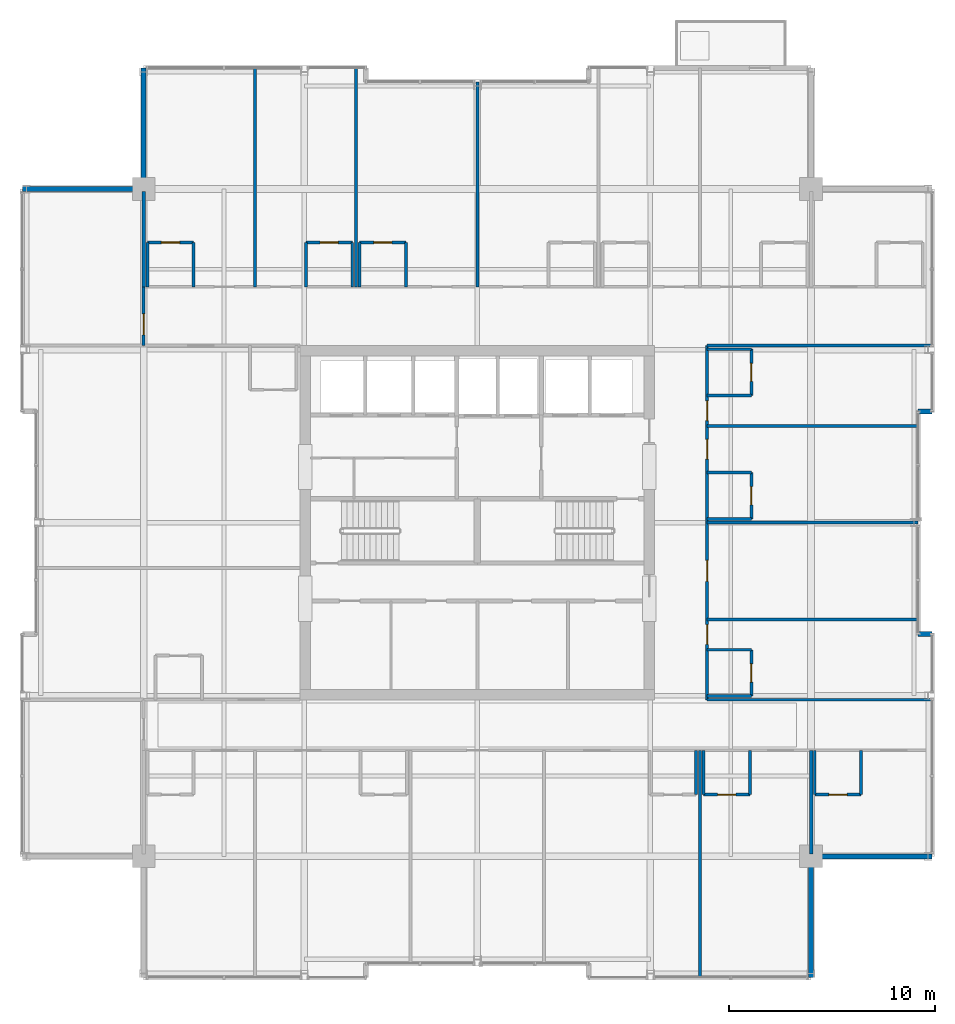
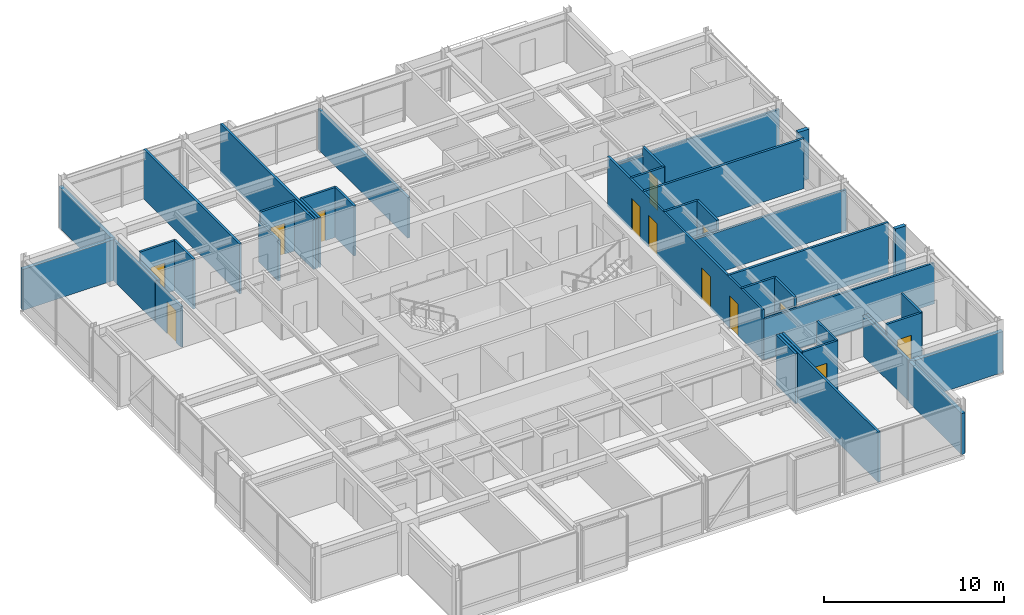
# One storey, part 30 of 34: 44 walls, 13 doors, 13 openings.
"""IFC4 building model written with IfcOpenShell, lengths in metres."""

from ifc_helpers import new_model, si_unit, direction, frame, frame_2d, origin, place, context, subcontext, project, spatial, rectangle, extrude, material, layer, layer_set, type_object, element, fill, save


model = new_model("IFC4")

# Units and contexts
model_context = context("Model", 3, precision=1e-05, world=origin(), true_north=direction((0.0, 1.0)))
body_context = subcontext(model_context, "Body", "Model", "MODEL_VIEW")
ifc_project = project(units=[si_unit("LENGTHUNIT", "METRE"), si_unit("AREAUNIT", "SQUARE_METRE"), si_unit("VOLUMEUNIT", "CUBIC_METRE"), si_unit("PLANEANGLEUNIT", "RADIAN"), si_unit("MASSUNIT", "GRAM", prefix="KILO")], contexts=[model_context])

# Site, building, storey
site_placement = place(None, origin())
site = spatial("IfcSite", under=ifc_project, at=site_placement, CompositionType="ELEMENT")
building_placement = place(site_placement, origin())
building = spatial("IfcBuilding", under=site, at=building_placement, Name="Drelvath Grand Hotel", CompositionType="ELEMENT")
storey_placement = place(building_placement, frame((0.0, 0.0, 272.300048828125)))
storey = spatial("IfcBuildingStorey", under=building, at=storey_placement, Name="L71", CompositionType="ELEMENT", Elevation=272.300048828125)

# Walls
ifc_material_1 = material(Name="Gypsum Fireboard Partition")
ifc_layer_1 = layer(ifc_material_1, 0.135009765625)
ifc_layer_set_1 = layer_set([ifc_layer_1], Name="Gypsum Fireboard Partition")
wall_type_1 = type_object("IfcWallType", Name="Corridor Fire Barrier Wall 135", PredefinedType="PARTITIONING", material=ifc_layer_set_1)
for number, where, z_axis, x_axis, name in (
    (1, (11.14990234375, 18.39990234375, 0.0), (0.0, 0.0, 1.0), (1.0, 0.0, 0.0), "L71 South Gallery Inner East Wall"),
    (2, (11.14990234375, 35.60009765625, 0.0), (0.0, 0.0, 1.0), (1.0, 0.0, 0.0), "L71 North Gallery Inner East Wall"),
):
    element("IfcWall", number, at=place(storey_placement, frame(where, z_axis=z_axis, x_axis=x_axis)), inside=storey, type_object=wall_type_1, Name=name, PredefinedType="PARTITIONING", context=body_context, shape_type="SweptSolid", body=[
        extrude(rectangle(XDim=10.93017578125, YDim=0.135009765625, at=frame_2d((5.465087890625, 0.0))), origin(), (0.0, 0.0, 1.0), 2.767333984375),
    ])

# Wall, openings, doors
wall_1_placement = place(storey_placement, frame((11.14990234375, 18.39990234375, 0.0), z_axis=(0.0, 0.0, 1.0), x_axis=(0.0, 1.0, 0.0)))
wall_1 = element("IfcWall", 3, at=wall_1_placement, inside=storey, type_object=wall_type_1, Name="L71 East Gallery Link Wall", PredefinedType="PARTITIONING", context=body_context, shape_type="SweptSolid", body=[
    extrude(rectangle(XDim=17.2001953125, YDim=0.135009765625, at=frame_2d((8.60009765625, 0.0))), origin(), (0.0, 0.0, 1.0), 3.389892578125),
])
opening_1_placement = place(wall_1_placement, frame((2.689453125, 0.0, 0.0)))
opening_1 = element("IfcOpeningElement", 4, at=opening_1_placement, cuts=wall_1, Name="Opening D-T5G1-048", PredefinedType="OPENING", context=body_context, shape_type="SweptSolid", body=[
    extrude(rectangle(XDim=0.9599609375, YDim=2.14990234375, at=frame_2d((0.47998046875, 1.074951171875))), frame((0.0, 0.077392578125, 0.0), z_axis=(0.0, -1.0, 0.0), x_axis=(1.0, 0.0, 0.0)), (0.0, 0.0, 1.0), 0.155029296875),
])
opening_2_placement = place(wall_1_placement, frame((5.74462890625, 0.0, 0.0)))
opening_2 = element("IfcOpeningElement", 5, at=opening_2_placement, cuts=wall_1, Name="Opening D-T5G1-049", PredefinedType="OPENING", context=body_context, shape_type="SweptSolid", body=[
    extrude(rectangle(XDim=1.02001953125, YDim=2.14990234375, at=frame_2d((0.510009765625, 1.074951171875))), frame((0.0, 0.077392578125, 0.0), z_axis=(0.0, -1.0, 0.0), x_axis=(1.0, 0.0, 0.0)), (0.0, 0.0, 1.0), 0.155029296875),
])
opening_3_placement = place(wall_1_placement, frame((11.680419921875, 0.0, 0.0)))
opening_3 = element("IfcOpeningElement", 6, at=opening_3_placement, cuts=wall_1, Name="Opening D-T5G1-051", PredefinedType="OPENING", context=body_context, shape_type="SweptSolid", body=[
    extrude(rectangle(XDim=0.9599609375, YDim=2.14990234375, at=frame_2d((0.47998046875, 1.074951171875))), frame((0.0, 0.077392578125, 0.0), z_axis=(0.0, -1.0, 0.0), x_axis=(1.0, 0.0, 0.0)), (0.0, 0.0, 1.0), 0.155029296875),
])
opening_4_placement = place(wall_1_placement, frame((13.550537109375, 0.0, 0.0)))
opening_4 = element("IfcOpeningElement", 7, at=opening_4_placement, cuts=wall_1, Name="Opening D-T5G1-053", PredefinedType="OPENING", context=body_context, shape_type="SweptSolid", body=[
    extrude(rectangle(XDim=0.9599609375, YDim=2.14990234375, at=frame_2d((0.47998046875, 1.074951171875))), frame((0.0, 0.077392578125, 0.0), z_axis=(0.0, -1.0, 0.0), x_axis=(1.0, 0.0, 0.0)), (0.0, 0.0, 1.0), 0.155029296875),
])
ifc_material_2 = material(Name="Hardwood Walnut Timber", Category="wood")
door_type_1 = type_object("IfcDoorType", Name="Amenity Meeting Fire Door 1020x2150", OperationType="NOTDEFINED", PredefinedType="DOOR", material=ifc_material_2)
door_1_placement = place(opening_2_placement, origin())
door_1 = element("IfcDoor", 8, at=door_1_placement, inside=storey, type_object=door_type_1, Name="L71 Private Spa Treatment Room Entry Door", OperationType="SINGLE_SWING_RIGHT", OverallHeight=2.14990234375, OverallWidth=1.02001953125, PredefinedType="DOOR", context=body_context, shape_type="SweptSolid", body=[
    extrude(rectangle(XDim=1.02001953125, YDim=2.14990234375, at=frame_2d((0.510009765625, 1.074951171875))), frame((0.0, 0.02490234375, 0.0), z_axis=(0.0, -1.0, 0.0), x_axis=(1.0, 0.0, 0.0)), (0.0, 0.0, 1.0), 0.050048828125),
])
fill(opening_2, door_1)
door_type_2 = type_object("IfcDoorType", Name="Guestroom Entrance Fire Door 960x2150", OperationType="NOTDEFINED", PredefinedType="DOOR", material=ifc_material_2)
door_2_placement = place(opening_1_placement, origin())
door_2 = element("IfcDoor", 9, at=door_2_placement, inside=storey, type_object=door_type_2, Name="L71 King Guest Room Entry Door", OperationType="SINGLE_SWING_LEFT", OverallHeight=2.14990234375, OverallWidth=0.9599609375, PredefinedType="DOOR", context=body_context, shape_type="SweptSolid", body=[
    extrude(rectangle(XDim=0.9599609375, YDim=2.14990234375, at=frame_2d((0.47998046875, 1.074951171875))), frame((0.0, 0.02490234375, 0.0), z_axis=(0.0, -1.0, 0.0), x_axis=(1.0, 0.0, 0.0)), (0.0, 0.0, 1.0), 0.050048828125),
])
fill(opening_1, door_2)
door_3_placement = place(opening_3_placement, origin())
door_3 = element("IfcDoor", 10, at=door_3_placement, inside=storey, type_object=door_type_2, Name="L71 King Guest Room Entry Door", OperationType="SINGLE_SWING_RIGHT", OverallHeight=2.14990234375, OverallWidth=0.9599609375, PredefinedType="DOOR", context=body_context, shape_type="SweptSolid", body=[
    extrude(rectangle(XDim=0.9599609375, YDim=2.14990234375, at=frame_2d((0.47998046875, 1.074951171875))), frame((0.0, 0.02490234375, 0.0), z_axis=(0.0, -1.0, 0.0), x_axis=(1.0, 0.0, 0.0)), (0.0, 0.0, 1.0), 0.050048828125),
])
fill(opening_3, door_3)
door_4_placement = place(opening_4_placement, origin())
door_4 = element("IfcDoor", 11, at=door_4_placement, inside=storey, type_object=door_type_2, Name="L71 King Guest Room Entry Door", OperationType="SINGLE_SWING_RIGHT", OverallHeight=2.14990234375, OverallWidth=0.9599609375, PredefinedType="DOOR", context=body_context, shape_type="SweptSolid", body=[
    extrude(rectangle(XDim=0.9599609375, YDim=2.14990234375, at=frame_2d((0.47998046875, 1.074951171875))), frame((0.0, 0.02490234375, 0.0), z_axis=(0.0, -1.0, 0.0), x_axis=(1.0, 0.0, 0.0)), (0.0, 0.0, 1.0), 0.050048828125),
])
fill(opening_4, door_4)

# Wall, opening, door
wall_2_placement = place(storey_placement, frame((-16.199951171875, 35.60009765625, 0.0), z_axis=(0.0, 0.0, 1.0), x_axis=(0.0, 1.0, 0.0)))
wall_2 = element("IfcWall", 12, at=wall_2_placement, inside=storey, type_object=wall_type_1, Name="L71 North Gallery West End", PredefinedType="PARTITIONING", context=body_context, shape_type="SweptSolid", body=[
    extrude(rectangle(XDim=2.849853515625, YDim=0.135009765625, at=frame_2d((1.4248046875, 0.0))), origin(), (0.0, 0.0, 1.0), 2.763916015625),
])
opening_5_placement = place(wall_2_placement, frame((0.52001953125, 0.0, 0.0)))
opening_5 = element("IfcOpeningElement", 13, at=opening_5_placement, cuts=wall_2, Name="Opening D-T5G1-021", PredefinedType="OPENING", context=body_context, shape_type="SweptSolid", body=[
    extrude(rectangle(XDim=1.02001953125, YDim=2.14990234375, at=frame_2d((0.510009765625, 1.074951171875))), frame((0.0, 0.077392578125, 0.0), z_axis=(0.0, -1.0, 0.0), x_axis=(1.0, 0.0, 0.0)), (0.0, 0.0, 1.0), 0.155029296875),
])
door_5_placement = place(opening_5_placement, origin())
door_5 = element("IfcDoor", 14, at=door_5_placement, inside=storey, type_object=door_type_1, Name="L71 Corner Panorama Lounge Door", OperationType="SINGLE_SWING_RIGHT", OverallHeight=2.14990234375, OverallWidth=1.02001953125, PredefinedType="DOOR", context=body_context, shape_type="SweptSolid", body=[
    extrude(rectangle(XDim=1.02001953125, YDim=2.14990234375, at=frame_2d((0.510009765625, 1.074951171875))), frame((0.0, 0.02490234375, 0.0), z_axis=(0.0, -1.0, 0.0), x_axis=(1.0, 0.0, 0.0)), (0.0, 0.0, 1.0), 0.050048828125),
])
fill(opening_5, door_5)

# Walls
ifc_material_3 = material(Name="Moisture-Resistant Gypsum Board")
ifc_layer_2 = layer(ifc_material_3, 0.139892578125)
ifc_layer_set_2 = layer_set([ifc_layer_2], Name="Moisture-Resistant Gypsum Board")
wall_type_2 = type_object("IfcWallType", Name="En-Suite Plumbing Wall 140", PredefinedType="PLUMBINGWALL", material=ifc_layer_set_2)
wall_3_placement = place(storey_placement, frame((16.3798828125, 15.949951171875, 0.0), z_axis=(0.0, 0.0, 1.0), x_axis=(0.0, -1.0, 0.0)))
element("IfcWall", 15, at=wall_3_placement, inside=storey, type_object=wall_type_2, Name="L71 En-Suite Left Wall", PredefinedType="PLUMBINGWALL", context=body_context, shape_type="SweptSolid", body=[
    extrude(rectangle(XDim=2.14990234375, YDim=0.139892578125, at=frame_2d((1.074951171875, 0.0))), origin(), (0.0, 0.0, 1.0), 2.763916015625),
])
wall_4_placement = place(storey_placement, frame((18.6298828125, 15.949951171875, 0.0), z_axis=(0.0, 0.0, 1.0), x_axis=(0.0, -1.0, 0.0)))
element("IfcWall", 16, at=wall_4_placement, inside=storey, type_object=wall_type_2, Name="L71 En-Suite Right Wall", PredefinedType="PLUMBINGWALL", context=body_context, shape_type="SweptSolid", body=[
    extrude(rectangle(XDim=2.14990234375, YDim=0.139892578125, at=frame_2d((1.074951171875, 0.0))), origin(), (0.0, 0.0, 1.0), 3.389892578125),
])

# Wall, opening, door
wall_5_placement = place(storey_placement, frame((16.3798828125, 13.800048828125, 0.0), z_axis=(0.0, 0.0, 1.0), x_axis=(1.0, 0.0, 0.0)))
wall_5 = element("IfcWall", 17, at=wall_5_placement, inside=storey, type_object=wall_type_2, Name="L71 En-Suite Front Wall", PredefinedType="PLUMBINGWALL", context=body_context, shape_type="SweptSolid", body=[
    extrude(rectangle(XDim=2.25, YDim=0.139892578125, at=frame_2d((1.125, 0.0))), origin(), (0.0, 0.0, 1.0), 3.389892578125),
])
opening_6_placement = place(wall_5_placement, frame((0.68505859375, 0.0, 0.0)))
opening_6 = element("IfcOpeningElement", 18, at=opening_6_placement, cuts=wall_5, Name="Opening D-T5G1-022", PredefinedType="OPENING", context=body_context, shape_type="SweptSolid", body=[
    extrude(rectangle(XDim=0.8798828125, YDim=2.10009765625, at=frame_2d((0.43994140625, 1.050048828125))), frame((0.0, 0.079833984375, 0.0), z_axis=(0.0, -1.0, 0.0), x_axis=(1.0, 0.0, 0.0)), (0.0, 0.0, 1.0), 0.159912109375),
])
door_type_3 = type_object("IfcDoorType", Name="En-Suite Bathroom Door 880x2100", OperationType="NOTDEFINED", PredefinedType="DOOR", material=ifc_material_2)
door_6_placement = place(opening_6_placement, origin())
door_6 = element("IfcDoor", 19, at=door_6_placement, inside=storey, type_object=door_type_3, Name="L71 En-Suite Bathroom Door", OperationType="SINGLE_SWING_LEFT", OverallHeight=2.10009765625, OverallWidth=0.8798828125, PredefinedType="DOOR", context=body_context, shape_type="SweptSolid", body=[
    extrude(rectangle(XDim=0.8798828125, YDim=2.10009765625, at=frame_2d((0.43994140625, 1.050048828125))), frame((0.0, 0.02490234375, 0.0), z_axis=(0.0, -1.0, 0.0), x_axis=(1.0, 0.0, 0.0)), (0.0, 0.0, 1.0), 0.050048828125),
])
fill(opening_6, door_6)

# Walls
for number, where, z_axis, x_axis, name in (
    (20, (10.6201171875, 15.949951171875, 0.0), (0.0, 0.0, 1.0), (0.0, -1.0, 0.0), "L71 En-Suite Right Wall"),
    (21, (10.97998046875, 15.949951171875, 0.0), (0.0, 0.0, 1.0), (0.0, -1.0, 0.0), "L71 En-Suite Left Wall"),
    (22, (13.22998046875, 15.949951171875, 0.0), (0.0, 0.0, 1.0), (0.0, -1.0, 0.0), "L71 En-Suite Right Wall"),
):
    element("IfcWall", number, at=place(storey_placement, frame(where, z_axis=z_axis, x_axis=x_axis)), inside=storey, type_object=wall_type_2, Name=name, PredefinedType="PLUMBINGWALL", context=body_context, shape_type="SweptSolid", body=[
        extrude(rectangle(XDim=2.14990234375, YDim=0.139892578125, at=frame_2d((1.074951171875, 0.0))), origin(), (0.0, 0.0, 1.0), 3.389892578125),
    ])

# Wall, opening, door
wall_6_placement = place(storey_placement, frame((10.97998046875, 13.800048828125, 0.0), z_axis=(0.0, 0.0, 1.0), x_axis=(1.0, 0.0, 0.0)))
wall_6 = element("IfcWall", 23, at=wall_6_placement, inside=storey, type_object=wall_type_2, Name="L71 En-Suite Front Wall", PredefinedType="PLUMBINGWALL", context=body_context, shape_type="SweptSolid", body=[
    extrude(rectangle(XDim=2.25, YDim=0.139892578125, at=frame_2d((1.125, 0.0))), origin(), (0.0, 0.0, 1.0), 3.389892578125),
])
opening_7_placement = place(wall_6_placement, frame((0.68505859375, 0.0, 0.0)))
opening_7 = element("IfcOpeningElement", 24, at=opening_7_placement, cuts=wall_6, Name="Opening D-T5G1-033", PredefinedType="OPENING", context=body_context, shape_type="SweptSolid", body=[
    extrude(rectangle(XDim=0.8798828125, YDim=2.10009765625, at=frame_2d((0.43994140625, 1.050048828125))), frame((0.0, 0.079833984375, 0.0), z_axis=(0.0, -1.0, 0.0), x_axis=(1.0, 0.0, 0.0)), (0.0, 0.0, 1.0), 0.159912109375),
])
door_7_placement = place(opening_7_placement, origin())
door_7 = element("IfcDoor", 25, at=door_7_placement, inside=storey, type_object=door_type_3, Name="L71 En-Suite Bathroom Door", OperationType="SINGLE_SWING_RIGHT", OverallHeight=2.10009765625, OverallWidth=0.8798828125, PredefinedType="DOOR", context=body_context, shape_type="SweptSolid", body=[
    extrude(rectangle(XDim=0.8798828125, YDim=2.10009765625, at=frame_2d((0.43994140625, 1.050048828125))), frame((0.0, 0.02490234375, 0.0), z_axis=(0.0, -1.0, 0.0), x_axis=(1.0, 0.0, 0.0)), (0.0, 0.0, 1.0), 0.050048828125),
])
fill(opening_7, door_7)

# Walls
wall_7_placement = place(storey_placement, frame((-16.02001953125, 38.449951171875, 0.0), z_axis=(0.0, 0.0, 1.0), x_axis=(0.0, 1.0, 0.0)))
element("IfcWall", 26, at=wall_7_placement, inside=storey, type_object=wall_type_2, Name="L71 En-Suite Left Wall", PredefinedType="PLUMBINGWALL", context=body_context, shape_type="SweptSolid", body=[
    extrude(rectangle(XDim=2.150146484375, YDim=0.139892578125, at=frame_2d((1.0751953125, 0.0))), origin(), (0.0, 0.0, 1.0), 2.763916015625),
])
wall_8_placement = place(storey_placement, frame((-13.77001953125, 38.449951171875, 0.0), z_axis=(0.0, 0.0, 1.0), x_axis=(0.0, 1.0, 0.0)))
element("IfcWall", 27, at=wall_8_placement, inside=storey, type_object=wall_type_2, Name="L71 En-Suite Right Wall", PredefinedType="PLUMBINGWALL", context=body_context, shape_type="SweptSolid", body=[
    extrude(rectangle(XDim=2.150146484375, YDim=0.139892578125, at=frame_2d((1.0751953125, 0.0))), origin(), (0.0, 0.0, 1.0), 3.389892578125),
])

# Wall, opening, door
wall_9_placement = place(storey_placement, frame((-16.02001953125, 40.60009765625, 0.0), z_axis=(0.0, 0.0, 1.0), x_axis=(1.0, 0.0, 0.0)))
wall_9 = element("IfcWall", 28, at=wall_9_placement, inside=storey, type_object=wall_type_2, Name="L71 En-Suite Front Wall", PredefinedType="PLUMBINGWALL", context=body_context, shape_type="SweptSolid", body=[
    extrude(rectangle(XDim=2.25, YDim=0.139892578125, at=frame_2d((1.125, 0.0))), origin(), (0.0, 0.0, 1.0), 3.389892578125),
])
opening_8_placement = place(wall_9_placement, frame((0.68505859375, 0.0, 0.0)))
opening_8 = element("IfcOpeningElement", 29, at=opening_8_placement, cuts=wall_9, Name="Opening D-T5G1-035", PredefinedType="OPENING", context=body_context, shape_type="SweptSolid", body=[
    extrude(rectangle(XDim=0.8798828125, YDim=2.10009765625, at=frame_2d((0.43994140625, 1.050048828125))), frame((0.0, 0.079833984375, 0.0), z_axis=(0.0, -1.0, 0.0), x_axis=(1.0, 0.0, 0.0)), (0.0, 0.0, 1.0), 0.159912109375),
])
door_8_placement = place(opening_8_placement, origin())
door_8 = element("IfcDoor", 30, at=door_8_placement, inside=storey, type_object=door_type_3, Name="L71 En-Suite Bathroom Door", OperationType="SINGLE_SWING_RIGHT", OverallHeight=2.10009765625, OverallWidth=0.8798828125, PredefinedType="DOOR", context=body_context, shape_type="SweptSolid", body=[
    extrude(rectangle(XDim=0.8798828125, YDim=2.10009765625, at=frame_2d((0.43994140625, 1.050048828125))), frame((0.0, 0.02490234375, 0.0), z_axis=(0.0, -1.0, 0.0), x_axis=(1.0, 0.0, 0.0)), (0.0, 0.0, 1.0), 0.050048828125),
])
fill(opening_8, door_8)

# Walls
wall_10_placement = place(storey_placement, frame((-8.32080078125, 38.449951171875, 0.0), z_axis=(0.0, 0.0, 1.0), x_axis=(0.0, 1.0, 0.0)))
element("IfcWall", 31, at=wall_10_placement, inside=storey, type_object=wall_type_2, Name="L71 En-Suite Left Wall", PredefinedType="PLUMBINGWALL", context=body_context, shape_type="SweptSolid", body=[
    extrude(rectangle(XDim=2.150146484375, YDim=0.139892578125, at=frame_2d((1.0751953125, 0.0))), origin(), (0.0, 0.0, 1.0), 2.767333984375),
])
wall_11_placement = place(storey_placement, frame((-6.07080078125, 38.449951171875, 0.0), z_axis=(0.0, 0.0, 1.0), x_axis=(0.0, 1.0, 0.0)))
element("IfcWall", 32, at=wall_11_placement, inside=storey, type_object=wall_type_2, Name="L71 En-Suite Right Wall", PredefinedType="PLUMBINGWALL", context=body_context, shape_type="SweptSolid", body=[
    extrude(rectangle(XDim=2.150146484375, YDim=0.139892578125, at=frame_2d((1.0751953125, 0.0))), origin(), (0.0, 0.0, 1.0), 3.389892578125),
])

# Wall, opening, door
wall_12_placement = place(storey_placement, frame((-8.32080078125, 40.60009765625, 0.0), z_axis=(0.0, 0.0, 1.0), x_axis=(1.0, 0.0, 0.0)))
wall_12 = element("IfcWall", 33, at=wall_12_placement, inside=storey, type_object=wall_type_2, Name="L71 En-Suite Front Wall", PredefinedType="PLUMBINGWALL", context=body_context, shape_type="SweptSolid", body=[
    extrude(rectangle(XDim=2.25, YDim=0.139892578125, at=frame_2d((1.125, 0.0))), origin(), (0.0, 0.0, 1.0), 3.389892578125),
])
opening_9_placement = place(wall_12_placement, frame((0.68505859375, 0.0, 0.0)))
opening_9 = element("IfcOpeningElement", 34, at=opening_9_placement, cuts=wall_12, Name="Opening D-T5G1-037", PredefinedType="OPENING", context=body_context, shape_type="SweptSolid", body=[
    extrude(rectangle(XDim=0.8798828125, YDim=2.10009765625, at=frame_2d((0.43994140625, 1.050048828125))), frame((0.0, 0.079833984375, 0.0), z_axis=(0.0, -1.0, 0.0), x_axis=(1.0, 0.0, 0.0)), (0.0, 0.0, 1.0), 0.159912109375),
])
door_9_placement = place(opening_9_placement, origin())
door_9 = element("IfcDoor", 35, at=door_9_placement, inside=storey, type_object=door_type_3, Name="L71 En-Suite Bathroom Door", OperationType="SINGLE_SWING_RIGHT", OverallHeight=2.10009765625, OverallWidth=0.8798828125, PredefinedType="DOOR", context=body_context, shape_type="SweptSolid", body=[
    extrude(rectangle(XDim=0.8798828125, YDim=2.10009765625, at=frame_2d((0.43994140625, 1.050048828125))), frame((0.0, 0.02490234375, 0.0), z_axis=(0.0, -1.0, 0.0), x_axis=(1.0, 0.0, 0.0)), (0.0, 0.0, 1.0), 0.050048828125),
])
fill(opening_9, door_9)

# Walls
for number, where, z_axis, x_axis, name in (
    (36, (-5.7109375, 38.449951171875, 0.0), (0.0, 0.0, 1.0), (0.0, 1.0, 0.0), "L71 En-Suite Left Wall"),
    (37, (-3.4609375, 38.449951171875, 0.0), (0.0, 0.0, 1.0), (0.0, 1.0, 0.0), "L71 En-Suite Right Wall"),
):
    element("IfcWall", number, at=place(storey_placement, frame(where, z_axis=z_axis, x_axis=x_axis)), inside=storey, type_object=wall_type_2, Name=name, PredefinedType="PLUMBINGWALL", context=body_context, shape_type="SweptSolid", body=[
        extrude(rectangle(XDim=2.150146484375, YDim=0.139892578125, at=frame_2d((1.0751953125, 0.0))), origin(), (0.0, 0.0, 1.0), 3.389892578125),
    ])

# Wall, opening, door
wall_13_placement = place(storey_placement, frame((-5.7109375, 40.60009765625, 0.0), z_axis=(0.0, 0.0, 1.0), x_axis=(1.0, 0.0, 0.0)))
wall_13 = element("IfcWall", 38, at=wall_13_placement, inside=storey, type_object=wall_type_2, Name="L71 En-Suite Front Wall", PredefinedType="PLUMBINGWALL", context=body_context, shape_type="SweptSolid", body=[
    extrude(rectangle(XDim=2.25, YDim=0.139892578125, at=frame_2d((1.125, 0.0))), origin(), (0.0, 0.0, 1.0), 3.389892578125),
])
opening_10_placement = place(wall_13_placement, frame((0.68505859375, 0.0, 0.0)))
opening_10 = element("IfcOpeningElement", 39, at=opening_10_placement, cuts=wall_13, Name="Opening D-T5G1-039", PredefinedType="OPENING", context=body_context, shape_type="SweptSolid", body=[
    extrude(rectangle(XDim=0.8798828125, YDim=2.10009765625, at=frame_2d((0.43994140625, 1.050048828125))), frame((0.0, 0.079833984375, 0.0), z_axis=(0.0, -1.0, 0.0), x_axis=(1.0, 0.0, 0.0)), (0.0, 0.0, 1.0), 0.159912109375),
])
door_10_placement = place(opening_10_placement, origin())
door_10 = element("IfcDoor", 40, at=door_10_placement, inside=storey, type_object=door_type_3, Name="L71 En-Suite Bathroom Door", OperationType="SINGLE_SWING_RIGHT", OverallHeight=2.10009765625, OverallWidth=0.8798828125, PredefinedType="DOOR", context=body_context, shape_type="SweptSolid", body=[
    extrude(rectangle(XDim=0.8798828125, YDim=2.10009765625, at=frame_2d((0.43994140625, 1.050048828125))), frame((0.0, 0.02490234375, 0.0), z_axis=(0.0, -1.0, 0.0), x_axis=(1.0, 0.0, 0.0)), (0.0, 0.0, 1.0), 0.050048828125),
])
fill(opening_10, door_10)

# Walls
wall_14_placement = place(storey_placement, frame((11.14990234375, 18.580078125, 0.0), z_axis=(0.0, 0.0, 1.0), x_axis=(1.0, 0.0, 0.0)))
element("IfcWall", 41, at=wall_14_placement, inside=storey, type_object=wall_type_2, Name="L71 En-Suite Left Wall", PredefinedType="PLUMBINGWALL", context=body_context, shape_type="SweptSolid", body=[
    extrude(rectangle(XDim=2.150146484375, YDim=0.139892578125, at=frame_2d((1.0751953125, 0.0))), origin(), (0.0, 0.0, 1.0), 2.767333984375),
])
wall_15_placement = place(storey_placement, frame((11.14990234375, 20.830078125, 0.0), z_axis=(0.0, 0.0, 1.0), x_axis=(1.0, 0.0, 0.0)))
element("IfcWall", 42, at=wall_15_placement, inside=storey, type_object=wall_type_2, Name="L71 En-Suite Right Wall", PredefinedType="PLUMBINGWALL", context=body_context, shape_type="SweptSolid", body=[
    extrude(rectangle(XDim=2.150146484375, YDim=0.139892578125, at=frame_2d((1.0751953125, 0.0))), origin(), (0.0, 0.0, 1.0), 3.389892578125),
])

# Wall, opening, door
wall_16_placement = place(storey_placement, frame((13.300048828125, 18.580078125, 0.0), z_axis=(0.0, 0.0, 1.0), x_axis=(0.0, 1.0, 0.0)))
wall_16 = element("IfcWall", 43, at=wall_16_placement, inside=storey, type_object=wall_type_2, Name="L71 En-Suite Front Wall", PredefinedType="PLUMBINGWALL", context=body_context, shape_type="SweptSolid", body=[
    extrude(rectangle(XDim=2.25, YDim=0.139892578125, at=frame_2d((1.125, 0.0))), origin(), (0.0, 0.0, 1.0), 3.389892578125),
])
opening_11_placement = place(wall_16_placement, frame((0.68505859375, 0.0, 0.0)))
opening_11 = element("IfcOpeningElement", 44, at=opening_11_placement, cuts=wall_16, Name="Opening D-T5G1-047", PredefinedType="OPENING", context=body_context, shape_type="SweptSolid", body=[
    extrude(rectangle(XDim=0.8798828125, YDim=2.10009765625, at=frame_2d((0.43994140625, 1.050048828125))), frame((0.0, 0.079833984375, 0.0), z_axis=(0.0, -1.0, 0.0), x_axis=(1.0, 0.0, 0.0)), (0.0, 0.0, 1.0), 0.159912109375),
])
door_11_placement = place(opening_11_placement, origin())
door_11 = element("IfcDoor", 45, at=door_11_placement, inside=storey, type_object=door_type_3, Name="L71 En-Suite Bathroom Door", OperationType="SINGLE_SWING_RIGHT", OverallHeight=2.10009765625, OverallWidth=0.8798828125, PredefinedType="DOOR", context=body_context, shape_type="SweptSolid", body=[
    extrude(rectangle(XDim=0.8798828125, YDim=2.10009765625, at=frame_2d((0.43994140625, 1.050048828125))), frame((0.0, 0.02490234375, 0.0), z_axis=(0.0, -1.0, 0.0), x_axis=(1.0, 0.0, 0.0)), (0.0, 0.0, 1.0), 0.050048828125),
])
fill(opening_11, door_11)

# Walls
wall_17_placement = place(storey_placement, frame((11.14990234375, 27.179931640625, 0.0), z_axis=(0.0, 0.0, 1.0), x_axis=(1.0, 0.0, 0.0)))
element("IfcWall", 46, at=wall_17_placement, inside=storey, type_object=wall_type_2, Name="L71 En-Suite Left Wall", PredefinedType="PLUMBINGWALL", context=body_context, shape_type="SweptSolid", body=[
    extrude(rectangle(XDim=2.150146484375, YDim=0.139892578125, at=frame_2d((1.0751953125, 0.0))), origin(), (0.0, 0.0, 1.0), 2.767333984375),
])
wall_18_placement = place(storey_placement, frame((11.14990234375, 29.429931640625, 0.0), z_axis=(0.0, 0.0, 1.0), x_axis=(1.0, 0.0, 0.0)))
element("IfcWall", 47, at=wall_18_placement, inside=storey, type_object=wall_type_2, Name="L71 En-Suite Right Wall", PredefinedType="PLUMBINGWALL", context=body_context, shape_type="SweptSolid", body=[
    extrude(rectangle(XDim=2.150146484375, YDim=0.139892578125, at=frame_2d((1.0751953125, 0.0))), origin(), (0.0, 0.0, 1.0), 3.389892578125),
])

# Wall, opening, door
wall_19_placement = place(storey_placement, frame((13.300048828125, 27.179931640625, 0.0), z_axis=(0.0, 0.0, 1.0), x_axis=(0.0, 1.0, 0.0)))
wall_19 = element("IfcWall", 48, at=wall_19_placement, inside=storey, type_object=wall_type_2, Name="L71 En-Suite Front Wall", PredefinedType="PLUMBINGWALL", context=body_context, shape_type="SweptSolid", body=[
    extrude(rectangle(XDim=2.25, YDim=0.139892578125, at=frame_2d((1.125, 0.0))), origin(), (0.0, 0.0, 1.0), 3.389892578125),
])
opening_12_placement = place(wall_19_placement, frame((0.68505859375, 0.0, 0.0)))
opening_12 = element("IfcOpeningElement", 49, at=opening_12_placement, cuts=wall_19, Name="Opening D-T5G1-050", PredefinedType="OPENING", context=body_context, shape_type="SweptSolid", body=[
    extrude(rectangle(XDim=0.8798828125, YDim=2.10009765625, at=frame_2d((0.43994140625, 1.050048828125))), frame((0.0, 0.079833984375, 0.0), z_axis=(0.0, -1.0, 0.0), x_axis=(1.0, 0.0, 0.0)), (0.0, 0.0, 1.0), 0.159912109375),
])
door_12_placement = place(opening_12_placement, origin())
door_12 = element("IfcDoor", 50, at=door_12_placement, inside=storey, type_object=door_type_3, Name="L71 En-Suite Bathroom Door", OperationType="SINGLE_SWING_LEFT", OverallHeight=2.10009765625, OverallWidth=0.8798828125, PredefinedType="DOOR", context=body_context, shape_type="SweptSolid", body=[
    extrude(rectangle(XDim=0.8798828125, YDim=2.10009765625, at=frame_2d((0.43994140625, 1.050048828125))), frame((0.0, 0.02490234375, 0.0), z_axis=(0.0, -1.0, 0.0), x_axis=(1.0, 0.0, 0.0)), (0.0, 0.0, 1.0), 0.050048828125),
])
fill(opening_12, door_12)

# Walls
wall_20_placement = place(storey_placement, frame((11.14990234375, 33.169921875, 0.0), z_axis=(0.0, 0.0, 1.0), x_axis=(1.0, 0.0, 0.0)))
element("IfcWall", 51, at=wall_20_placement, inside=storey, type_object=wall_type_2, Name="L71 En-Suite Left Wall", PredefinedType="PLUMBINGWALL", context=body_context, shape_type="SweptSolid", body=[
    extrude(rectangle(XDim=2.150146484375, YDim=0.139892578125, at=frame_2d((1.0751953125, 0.0))), origin(), (0.0, 0.0, 1.0), 3.389892578125),
])
wall_21_placement = place(storey_placement, frame((11.14990234375, 35.419921875, 0.0), z_axis=(0.0, 0.0, 1.0), x_axis=(1.0, 0.0, 0.0)))
element("IfcWall", 52, at=wall_21_placement, inside=storey, type_object=wall_type_2, Name="L71 En-Suite Right Wall", PredefinedType="PLUMBINGWALL", context=body_context, shape_type="SweptSolid", body=[
    extrude(rectangle(XDim=2.150146484375, YDim=0.139892578125, at=frame_2d((1.0751953125, 0.0))), origin(), (0.0, 0.0, 1.0), 2.767333984375),
])

# Wall, opening, door
wall_22_placement = place(storey_placement, frame((13.300048828125, 33.169921875, 0.0), z_axis=(0.0, 0.0, 1.0), x_axis=(0.0, 1.0, 0.0)))
wall_22 = element("IfcWall", 53, at=wall_22_placement, inside=storey, type_object=wall_type_2, Name="L71 En-Suite Front Wall", PredefinedType="PLUMBINGWALL", context=body_context, shape_type="SweptSolid", body=[
    extrude(rectangle(XDim=2.25, YDim=0.139892578125, at=frame_2d((1.125, 0.0))), origin(), (0.0, 0.0, 1.0), 3.389892578125),
])
opening_13_placement = place(wall_22_placement, frame((0.68505859375, 0.0, 0.0)))
opening_13 = element("IfcOpeningElement", 54, at=opening_13_placement, cuts=wall_22, Name="Opening D-T5G1-052", PredefinedType="OPENING", context=body_context, shape_type="SweptSolid", body=[
    extrude(rectangle(XDim=0.8798828125, YDim=2.10009765625, at=frame_2d((0.43994140625, 1.050048828125))), frame((0.0, 0.079833984375, 0.0), z_axis=(0.0, -1.0, 0.0), x_axis=(1.0, 0.0, 0.0)), (0.0, 0.0, 1.0), 0.159912109375),
])
door_13_placement = place(opening_13_placement, origin())
door_13 = element("IfcDoor", 55, at=door_13_placement, inside=storey, type_object=door_type_3, Name="L71 En-Suite Bathroom Door", OperationType="SINGLE_SWING_LEFT", OverallHeight=2.10009765625, OverallWidth=0.8798828125, PredefinedType="DOOR", context=body_context, shape_type="SweptSolid", body=[
    extrude(rectangle(XDim=0.8798828125, YDim=2.10009765625, at=frame_2d((0.43994140625, 1.050048828125))), frame((0.0, 0.02490234375, 0.0), z_axis=(0.0, -1.0, 0.0), x_axis=(1.0, 0.0, 0.0)), (0.0, 0.0, 1.0), 0.050048828125),
])
fill(opening_13, door_13)

# Walls
ifc_material_4 = material(Name="Gypsum Acoustic Partition")
ifc_layer_3 = layer(ifc_material_4, 0.14990234375)
ifc_layer_set_3 = layer_set([ifc_layer_3], Name="Gypsum Acoustic Partition")
wall_type_3 = type_object("IfcWallType", Name="Guestroom Demising Wall 150", PredefinedType="PARTITIONING", material=ifc_layer_set_3)
wall_23_placement = place(storey_placement, frame((10.800048828125, 4.919921875, 0.0), z_axis=(0.0, 0.0, 1.0), x_axis=(0.0, 1.0, 0.0)))
element("IfcWall", 56, at=wall_23_placement, inside=storey, type_object=wall_type_3, Name="L71 South Demising 4", PredefinedType="PARTITIONING", context=body_context, shape_type="SweptSolid", body=[
    extrude(rectangle(XDim=11.030029296875, YDim=0.14990234375, at=frame_2d((5.51513671875, 0.0))), origin(), (0.0, 0.0, 1.0), 3.389892578125),
])
for number, where, z_axis, x_axis, name in (
    (57, (-10.800048828125, 38.449951171875, 0.0), (0.0, 0.0, 1.0), (0.0, 1.0, 0.0), "L71 North Demising 1"),
    (58, (-5.890869140625, 38.449951171875, 0.0), (0.0, 0.0, 1.0), (0.0, 1.0, 0.0), "L71 North Demising 2"),
):
    element("IfcWall", number, at=place(storey_placement, frame(where, z_axis=z_axis, x_axis=x_axis)), inside=storey, type_object=wall_type_3, Name=name, PredefinedType="PARTITIONING", context=body_context, shape_type="SweptSolid", body=[
        extrude(rectangle(XDim=10.630126953125, YDim=0.14990234375, at=frame_2d((5.31494140625, 0.0))), origin(), (0.0, 0.0, 1.0), 3.389892578125),
    ])
wall_24_placement = place(storey_placement, frame((0.0, 38.449951171875, 0.0), z_axis=(0.0, 0.0, 1.0), x_axis=(0.0, 1.0, 0.0)))
element("IfcWall", 59, at=wall_24_placement, inside=storey, type_object=wall_type_3, Name="L71 North Demising 3", PredefinedType="PARTITIONING", context=body_context, shape_type="SweptSolid", body=[
    extrude(rectangle(XDim=9.949951171875, YDim=0.14990234375, at=frame_2d((4.97509765625, 0.0))), origin(), (0.0, 0.0, 1.0), 2.767333984375),
])
wall_25_placement = place(storey_placement, frame((11.14990234375, 22.30908203125, 0.0), z_axis=(0.0, 0.0, 1.0), x_axis=(1.0, 0.0, 0.0)))
element("IfcWall", 60, at=wall_25_placement, inside=storey, type_object=wall_type_3, Name="L71 East Demising 1", PredefinedType="PARTITIONING", context=body_context, shape_type="SweptSolid", body=[
    extrude(rectangle(XDim=10.25, YDim=0.14990234375, at=frame_2d((5.125, 0.0))), origin(), (0.0, 0.0, 1.0), 3.389892578125),
])
wall_26_placement = place(storey_placement, frame((11.14990234375, 27.0, 0.0), z_axis=(0.0, 0.0, 1.0), x_axis=(1.0, 0.0, 0.0)))
element("IfcWall", 61, at=wall_26_placement, inside=storey, type_object=wall_type_3, Name="L71 East Demising 2", PredefinedType="PARTITIONING", context=body_context, shape_type="SweptSolid", body=[
    extrude(rectangle(XDim=10.25, YDim=0.14990234375, at=frame_2d((5.125, 0.0))), origin(), (0.0, 0.0, 1.0), 2.767333984375),
])
wall_27_placement = place(storey_placement, frame((11.14990234375, 31.69091796875, 0.0), z_axis=(0.0, 0.0, 1.0), x_axis=(1.0, 0.0, 0.0)))
element("IfcWall", 62, at=wall_27_placement, inside=storey, type_object=wall_type_3, Name="L71 East Demising 3", PredefinedType="PARTITIONING", context=body_context, shape_type="SweptSolid", body=[
    extrude(rectangle(XDim=10.25, YDim=0.14990234375, at=frame_2d((5.125, 0.0))), origin(), (0.0, 0.0, 1.0), 3.389892578125),
])
ifc_layer_4 = layer(ifc_material_4, 0.1650390625)
ifc_layer_set_4 = layer_set([ifc_layer_4], Name="Gypsum Acoustic Partition")
wall_type_4 = type_object("IfcWallType", Name="Suite Demising Wall 165", PredefinedType="PARTITIONING", material=ifc_layer_set_4)
wall_28_placement = place(storey_placement, frame((16.199951171875, 10.919921875, 0.0), z_axis=(0.0, 0.0, 1.0), x_axis=(0.0, 1.0, 0.0)))
element("IfcWall", 63, at=wall_28_placement, inside=storey, type_object=wall_type_4, Name="L71 SE Suite Wall", PredefinedType="PARTITIONING", context=body_context, shape_type="SweptSolid", body=[
    extrude(rectangle(XDim=5.030029296875, YDim=0.1650390625, at=frame_2d((2.51513671875, 0.0))), origin(), (0.0, 0.0, 1.0), 2.763916015625),
])
wall_29_placement = place(storey_placement, frame((-16.199951171875, 38.449951171875, 0.0), z_axis=(0.0, 0.0, 1.0), x_axis=(0.0, 1.0, 0.0)))
element("IfcWall", 64, at=wall_29_placement, inside=storey, type_object=wall_type_4, Name="L71 NW Suite Wall", PredefinedType="PARTITIONING", context=body_context, shape_type="SweptSolid", body=[
    extrude(rectangle(XDim=4.630126953125, YDim=0.1650390625, at=frame_2d((2.31494140625, 0.0))), origin(), (0.0, 0.0, 1.0), 2.763916015625),
])
ifc_material_5 = material(Name="Pale-Metal Insulated Aluminium Spandrel Assembly", Category="aluminium")
ifc_layer_5 = layer(ifc_material_5, 0.239990234375)
ifc_layer_set_5 = layer_set([ifc_layer_5], Name="Pale-Metal Insulated Aluminium Spandrel Assembly")
wall_type_5 = type_object("IfcWallType", Name="Tower Insulated Metal Spandrel Closure Wall 240", PredefinedType="STANDARD", material=ifc_layer_set_5)
for number, where, z_axis, x_axis, name in (
    (65, (-22.080078125, 43.199951171875, 0.0), (0.0, 0.0, 1.0), (1.0, 0.0, 0.0), "L71 Notched Corner Return Spandrel Wall CNW1"),
    (66, (-16.199951171875, 43.199951171875, 0.0), (0.0, 0.0, 1.0), (0.0, 1.0, 0.0), "L71 Notched Corner Return Spandrel Wall CNW2"),
    (67, (22.080078125, 10.800048828125, 0.0), (0.0, 0.0, 1.0), (-1.0, 0.0, 0.0), "L71 Notched Corner Return Spandrel Wall CSE1"),
    (68, (16.199951171875, 10.800048828125, 0.0), (0.0, 0.0, 1.0), (0.0, -1.0, 0.0), "L71 Notched Corner Return Spandrel Wall CSE2"),
):
    element("IfcWall", number, at=place(storey_placement, frame(where, z_axis=z_axis, x_axis=x_axis)), inside=storey, type_object=wall_type_5, Name=name, PredefinedType="STANDARD", context=body_context, shape_type="SweptSolid", body=[
        extrude(rectangle(XDim=5.880126953125, YDim=0.239990234375, at=frame_2d((2.93994140625, 0.0))), origin(), (0.0, 0.0, 1.0), 2.779052734375),
    ])
for number, where, z_axis, x_axis, name in (
    (69, (22.080078125, 32.39990234375, 0.0), (0.0, 0.0, 1.0), (-1.0, 0.0, 0.0), "L71 Notched Corner Return Spandrel Wall RE1"),
    (70, (21.39990234375, 21.60009765625, 0.0), (0.0, 0.0, 1.0), (1.0, 0.0, 0.0), "L71 Notched Corner Return Spandrel Wall RE2"),
):
    element("IfcWall", number, at=place(storey_placement, frame(where, z_axis=z_axis, x_axis=x_axis)), inside=storey, type_object=wall_type_5, Name=name, PredefinedType="STANDARD", context=body_context, shape_type="SweptSolid", body=[
        extrude(rectangle(XDim=0.68017578125, YDim=0.239990234375, at=frame_2d((0.340087890625, 0.0))), origin(), (0.0, 0.0, 1.0), 3.389892578125),
    ])

save(model, "model.ifc")
